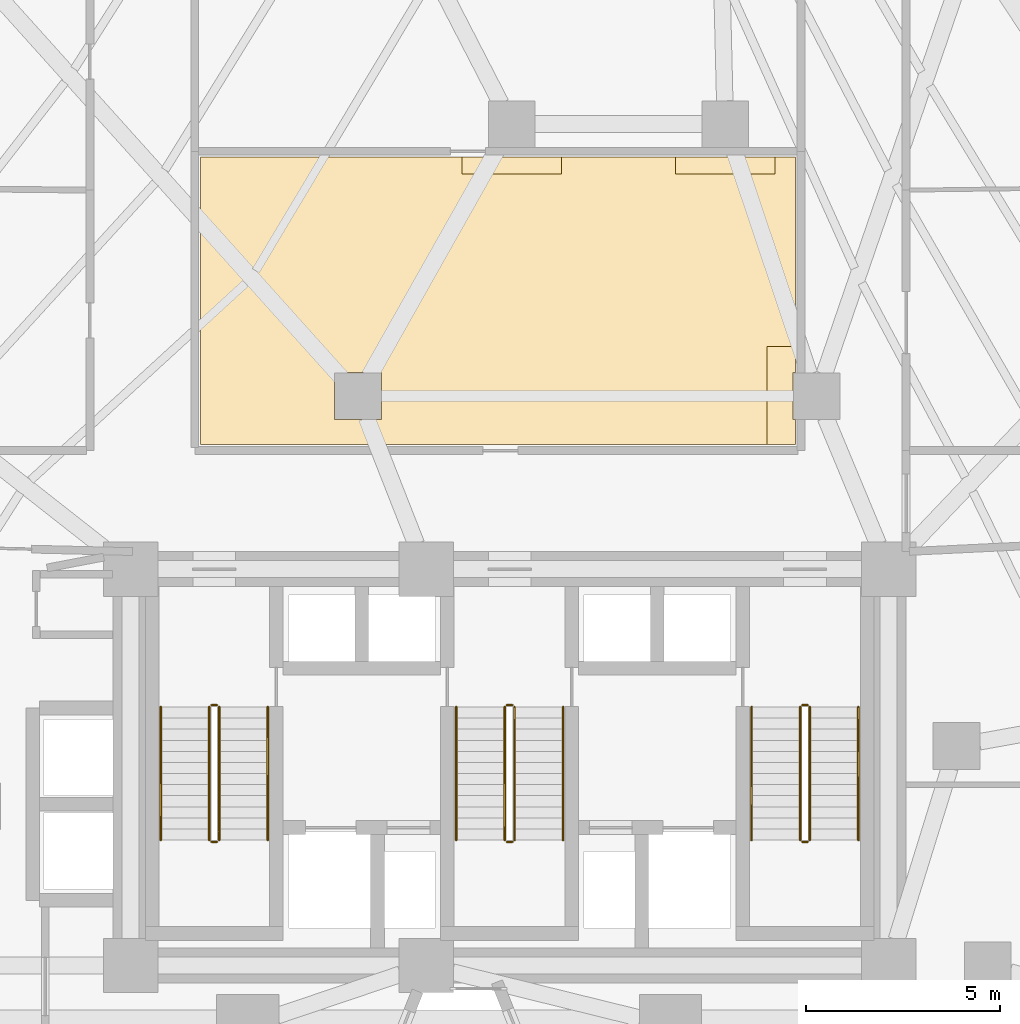
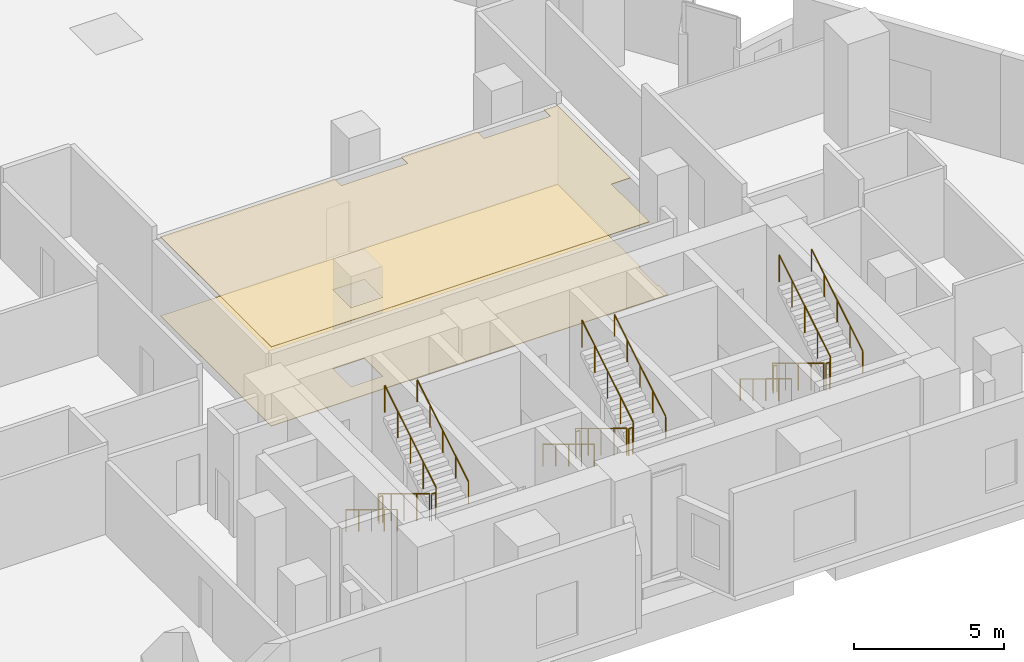
# One storey, part 11 of 12: 18 railings, 2 coverings.
"""IFC4 building model written with IfcOpenShell, lengths in metres."""

from ifc_helpers import new_model, si_unit, direction, frame, origin, origin_2d, place, context, subcontext, project, spatial, polyline, circle, outline, extrude, material, layer, layer_set, type_object, element, save


model = new_model("IFC4")

# Units and contexts
model_context = context("Model", 3, precision=1e-05, world=origin(), true_north=direction((0.0, 1.0)))
body_context = subcontext(model_context, "Body", "Model", "MODEL_VIEW")
ifc_project = project(units=[si_unit("LENGTHUNIT", "METRE"), si_unit("AREAUNIT", "SQUARE_METRE"), si_unit("VOLUMEUNIT", "CUBIC_METRE"), si_unit("PLANEANGLEUNIT", "RADIAN"), si_unit("MASSUNIT", "GRAM", prefix="KILO")], contexts=[model_context])

# Site, building, storey
site_placement = place(None, origin())
site = spatial("IfcSite", under=ifc_project, at=site_placement, CompositionType="ELEMENT")
building_placement = place(site_placement, origin())
building = spatial("IfcBuilding", under=site, at=building_placement, Name="Almagre Mirador Tower", CompositionType="ELEMENT")
storey_placement = place(building_placement, frame((0.0, 0.0, 12.89990234375)))
storey = spatial("IfcBuildingStorey", under=building, at=storey_placement, Name="L02", CompositionType="ELEMENT", Elevation=12.89990234375)

# Coverings
ifc_material_1 = material(Name="Slatted white oak acoustic ceiling", Category="wood")
ifc_layer_1 = layer(ifc_material_1, 0.02392578125)
ifc_layer_set_1 = layer_set([ifc_layer_1], Name="Slatted white oak acoustic ceiling")
covering_type_1 = type_object("IfcCoveringType", Name="COV-CEIL-WD-24", PredefinedType="CEILING", material=ifc_layer_set_1)
covering_1_placement = place(storey_placement, frame((0.0, 0.0, 3.22021484375)))
element("IfcCovering", 1, at=covering_1_placement, inside=storey, type_object=covering_type_1, Name="L02 Symposium Pre-Function Foyer acoustic suspended ceiling", PredefinedType="CEILING", context=body_context, shape_type="SweptSolid", body=[
    extrude(outline(polyline([(29.35009765625, 25.35009765625), (36.070068359375, 25.35009765625), (36.070068359375, 24.919921875), (38.6298828125, 24.919921875), (38.6298828125, 25.35009765625), (41.570068359375, 25.35009765625), (41.570068359375, 24.919921875), (44.1298828125, 24.919921875), (44.1298828125, 25.35009765625), (44.64990234375, 25.35009765625), (44.64990234375, 20.47998046875), (43.919921875, 20.47998046875), (43.919921875, 17.949951171875), (29.35009765625, 17.949951171875), (29.35009765625, 25.35009765625)]), holes=[polyline([(34.0048828125, 18.594970703125), (32.794921875, 18.594970703125), (32.794921875, 19.804931640625), (34.0048828125, 19.804931640625), (34.0048828125, 18.594970703125)])]), origin(), (0.0, 0.0, 1.0), 0.02392578125),
])
ifc_material_2 = material(Name="Honed basalt terrazzo flooring", Category="masonry")
ifc_layer_2 = layer(ifc_material_2, 0.02197265625)
ifc_layer_set_2 = layer_set([ifc_layer_2], Name="Honed basalt terrazzo flooring")
covering_type_2 = type_object("IfcCoveringType", Name="COV-FLR-TER-22", PredefinedType="FLOORING", material=ifc_layer_set_2)
covering_2_placement = place(storey_placement, origin())
element("IfcCovering", 2, at=covering_2_placement, inside=storey, type_object=covering_type_2, Name="L02 Symposium Pre-Function Foyer finish flooring", PredefinedType="FLOORING", context=body_context, shape_type="SweptSolid", body=[
    extrude(outline(polyline([(29.35009765625, 17.949951171875), (29.35009765625, 25.35009765625), (44.64990234375, 25.35009765625), (44.64990234375, 19.804931640625), (44.594970703125, 19.804931640625), (44.594970703125, 18.594970703125), (44.64990234375, 18.594970703125), (44.64990234375, 17.949951171875), (29.35009765625, 17.949951171875)]), holes=[polyline([(32.794921875, 18.594970703125), (32.794921875, 19.804931640625), (34.0048828125, 19.804931640625), (34.0048828125, 18.594970703125), (32.794921875, 18.594970703125)])]), origin(), (0.0, 0.0, 1.0), 0.022216796875),
])

# Railings
ifc_material_3 = material(Name="Painted galvanized steel", Category="steel")
railing_type_1 = type_object("IfcRailingType", Name="RLG-GRD-1100", PredefinedType="GUARDRAIL", material=ifc_material_3)
railing_1_placement = place(storey_placement, frame((29.574951171875, 11.199951171875, 0.173095703125)))
element("IfcRailing", 3, at=railing_1_placement, inside=storey, type_object=railing_type_1, Name="L02 ST-1 stair guard 1", PredefinedType="GUARDRAIL", context=body_context, shape_type="SweptSolid", body=[
    extrude(circle(Radius=0.02392578125, at=origin_2d()), frame((0.0, 0.0, 1.09619140625), z_axis=(0.0, -0.854729506542, 0.519073665916), x_axis=(1.0, 0.0, 0.0)), (0.0, 0.0, 1.0), 4.001220703125),
    extrude(circle(Radius=0.02099609375, at=origin_2d()), origin(), (0.0, 0.0, 1.0), 1.072021484375),
    extrude(circle(Radius=0.02099609375, at=origin_2d()), frame((0.0, -0.85498046875, 0.519287109375)), (0.0, 0.0, 1.0), 1.072021484375),
    extrude(circle(Radius=0.02099609375, at=origin_2d()), frame((0.0, -1.7099609375, 1.03857421875)), (0.0, 0.0, 1.0), 1.072021484375),
    extrude(circle(Radius=0.02099609375, at=origin_2d()), frame((0.0, -2.56494140625, 1.5576171875)), (0.0, 0.0, 1.0), 1.072021484375),
    extrude(circle(Radius=0.02099609375, at=origin_2d()), frame((0.0, -3.419921875, 2.076904296875)), (0.0, 0.0, 1.0), 1.072021484375),
])
railing_2_placement = place(storey_placement, frame((29.625, 7.72998046875, 2.25)))
element("IfcRailing", 4, at=railing_2_placement, inside=storey, type_object=railing_type_1, Name="L02 ST-1 stair guard 2", PredefinedType="GUARDRAIL", context=body_context, shape_type="SweptSolid", body=[
    extrude(circle(Radius=0.02392578125, at=origin_2d()), frame((0.0, 0.0, 1.09619140625), z_axis=(1.0, 0.0, 0.0), x_axis=(0.0, 1.0, 0.0)), (0.0, 0.0, 1.0), 0.14990234375),
    extrude(circle(Radius=0.02099609375, at=origin_2d()), origin(), (0.0, 0.0, 1.0), 1.072021484375),
    extrude(circle(Radius=0.02099609375, at=origin_2d()), frame((0.14990234375, 0.0, 0.0)), (0.0, 0.0, 1.0), 1.072021484375),
])
railing_3_placement = place(storey_placement, frame((29.824951171875, 7.780029296875, 2.423095703125)))
element("IfcRailing", 5, at=railing_3_placement, inside=storey, type_object=railing_type_1, Name="L02 ST-1 stair guard 3", PredefinedType="GUARDRAIL", context=body_context, shape_type="SweptSolid", body=[
    extrude(circle(Radius=0.02392578125, at=origin_2d()), frame((0.0, 0.0, 1.09619140625), z_axis=(0.0, 0.854729506542, 0.519073665916), x_axis=(-1.0, 0.0, 0.0)), (0.0, 0.0, 1.0), 4.001220703125),
    extrude(circle(Radius=0.02099609375, at=origin_2d()), origin(), (0.0, 0.0, 1.0), 1.072021484375),
    extrude(circle(Radius=0.02099609375, at=origin_2d()), frame((0.0, 0.85498046875, 0.519287109375)), (0.0, 0.0, 1.0), 1.072021484375),
    extrude(circle(Radius=0.02099609375, at=origin_2d()), frame((0.0, 1.7099609375, 1.03857421875)), (0.0, 0.0, 1.0), 1.072021484375),
    extrude(circle(Radius=0.02099609375, at=origin_2d()), frame((0.0, 2.56494140625, 1.5576171875)), (0.0, 0.0, 1.0), 1.072021484375),
    extrude(circle(Radius=0.02099609375, at=origin_2d()), frame((0.0, 3.419921875, 2.076904296875)), (0.0, 0.0, 1.0), 1.072021484375),
])
railing_4_placement = place(storey_placement, frame((29.625, 11.25, 0.0)))
element("IfcRailing", 6, at=railing_4_placement, inside=storey, type_object=railing_type_1, Name="L02 ST-1 stair guard 4", PredefinedType="GUARDRAIL", context=body_context, shape_type="SweptSolid", body=[
    extrude(circle(Radius=0.02392578125, at=origin_2d()), frame((0.0, 0.0, 1.09619140625), z_axis=(1.0, 0.0, 0.0), x_axis=(0.0, 1.0, 0.0)), (0.0, 0.0, 1.0), 0.14990234375),
    extrude(circle(Radius=0.02099609375, at=origin_2d()), origin(), (0.0, 0.0, 1.0), 1.072021484375),
    extrude(circle(Radius=0.02099609375, at=origin_2d()), frame((0.14990234375, 0.0, 0.0)), (0.0, 0.0, 1.0), 1.072021484375),
])
railing_5_placement = place(storey_placement, frame((37.175048828125, 11.199951171875, 0.173095703125)))
element("IfcRailing", 7, at=railing_5_placement, inside=storey, type_object=railing_type_1, Name="L02 ST-2 stair guard 1", PredefinedType="GUARDRAIL", context=body_context, shape_type="SweptSolid", body=[
    extrude(circle(Radius=0.02392578125, at=origin_2d()), frame((0.0, 0.0, 1.09619140625), z_axis=(0.0, -0.854729506542, 0.519073665916), x_axis=(1.0, 0.0, 0.0)), (0.0, 0.0, 1.0), 4.001220703125),
    extrude(circle(Radius=0.02099609375, at=origin_2d()), origin(), (0.0, 0.0, 1.0), 1.072021484375),
    extrude(circle(Radius=0.02099609375, at=origin_2d()), frame((0.0, -0.85498046875, 0.519287109375)), (0.0, 0.0, 1.0), 1.072021484375),
    extrude(circle(Radius=0.02099609375, at=origin_2d()), frame((0.0, -1.7099609375, 1.03857421875)), (0.0, 0.0, 1.0), 1.072021484375),
    extrude(circle(Radius=0.02099609375, at=origin_2d()), frame((0.0, -2.56494140625, 1.5576171875)), (0.0, 0.0, 1.0), 1.072021484375),
    extrude(circle(Radius=0.02099609375, at=origin_2d()), frame((0.0, -3.419921875, 2.076904296875)), (0.0, 0.0, 1.0), 1.072021484375),
])
railing_6_placement = place(storey_placement, frame((37.22509765625, 7.72998046875, 2.25)))
element("IfcRailing", 8, at=railing_6_placement, inside=storey, type_object=railing_type_1, Name="L02 ST-2 stair guard 2", PredefinedType="GUARDRAIL", context=body_context, shape_type="SweptSolid", body=[
    extrude(circle(Radius=0.02392578125, at=origin_2d()), frame((0.0, 0.0, 1.09619140625), z_axis=(1.0, 0.0, 0.0), x_axis=(0.0, 1.0, 0.0)), (0.0, 0.0, 1.0), 0.14990234375),
    extrude(circle(Radius=0.02099609375, at=origin_2d()), origin(), (0.0, 0.0, 1.0), 1.072021484375),
    extrude(circle(Radius=0.02099609375, at=origin_2d()), frame((0.14990234375, 0.0, 0.0)), (0.0, 0.0, 1.0), 1.072021484375),
])
railing_7_placement = place(storey_placement, frame((37.425048828125, 7.780029296875, 2.423095703125)))
element("IfcRailing", 9, at=railing_7_placement, inside=storey, type_object=railing_type_1, Name="L02 ST-2 stair guard 3", PredefinedType="GUARDRAIL", context=body_context, shape_type="SweptSolid", body=[
    extrude(circle(Radius=0.02392578125, at=origin_2d()), frame((0.0, 0.0, 1.09619140625), z_axis=(0.0, 0.854729506542, 0.519073665916), x_axis=(-1.0, 0.0, 0.0)), (0.0, 0.0, 1.0), 4.001220703125),
    extrude(circle(Radius=0.02099609375, at=origin_2d()), origin(), (0.0, 0.0, 1.0), 1.072021484375),
    extrude(circle(Radius=0.02099609375, at=origin_2d()), frame((0.0, 0.85498046875, 0.519287109375)), (0.0, 0.0, 1.0), 1.072021484375),
    extrude(circle(Radius=0.02099609375, at=origin_2d()), frame((0.0, 1.7099609375, 1.03857421875)), (0.0, 0.0, 1.0), 1.072021484375),
    extrude(circle(Radius=0.02099609375, at=origin_2d()), frame((0.0, 2.56494140625, 1.5576171875)), (0.0, 0.0, 1.0), 1.072021484375),
    extrude(circle(Radius=0.02099609375, at=origin_2d()), frame((0.0, 3.419921875, 2.076904296875)), (0.0, 0.0, 1.0), 1.072021484375),
])
railing_8_placement = place(storey_placement, frame((37.22509765625, 11.25, 0.0)))
element("IfcRailing", 10, at=railing_8_placement, inside=storey, type_object=railing_type_1, Name="L02 ST-2 stair guard 4", PredefinedType="GUARDRAIL", context=body_context, shape_type="SweptSolid", body=[
    extrude(circle(Radius=0.02392578125, at=origin_2d()), frame((0.0, 0.0, 1.09619140625), z_axis=(1.0, 0.0, 0.0), x_axis=(0.0, 1.0, 0.0)), (0.0, 0.0, 1.0), 0.14990234375),
    extrude(circle(Radius=0.02099609375, at=origin_2d()), origin(), (0.0, 0.0, 1.0), 1.072021484375),
    extrude(circle(Radius=0.02099609375, at=origin_2d()), frame((0.14990234375, 0.0, 0.0)), (0.0, 0.0, 1.0), 1.072021484375),
])
railing_9_placement = place(storey_placement, frame((44.77490234375, 11.199951171875, 0.173095703125)))
element("IfcRailing", 11, at=railing_9_placement, inside=storey, type_object=railing_type_1, Name="L02 ST-3 stair guard 1", PredefinedType="GUARDRAIL", context=body_context, shape_type="SweptSolid", body=[
    extrude(circle(Radius=0.02392578125, at=origin_2d()), frame((0.0, 0.0, 1.09619140625), z_axis=(0.0, -0.854729506542, 0.519073665916), x_axis=(1.0, 0.0, 0.0)), (0.0, 0.0, 1.0), 4.001220703125),
    extrude(circle(Radius=0.02099609375, at=origin_2d()), origin(), (0.0, 0.0, 1.0), 1.072021484375),
    extrude(circle(Radius=0.02099609375, at=origin_2d()), frame((0.0, -0.85498046875, 0.519287109375)), (0.0, 0.0, 1.0), 1.072021484375),
    extrude(circle(Radius=0.02099609375, at=origin_2d()), frame((0.0, -1.7099609375, 1.03857421875)), (0.0, 0.0, 1.0), 1.072021484375),
    extrude(circle(Radius=0.02099609375, at=origin_2d()), frame((0.0, -2.56494140625, 1.5576171875)), (0.0, 0.0, 1.0), 1.072021484375),
    extrude(circle(Radius=0.02099609375, at=origin_2d()), frame((0.0, -3.419921875, 2.076904296875)), (0.0, 0.0, 1.0), 1.072021484375),
])
railing_10_placement = place(storey_placement, frame((44.824951171875, 7.72998046875, 2.25)))
element("IfcRailing", 12, at=railing_10_placement, inside=storey, type_object=railing_type_1, Name="L02 ST-3 stair guard 2", PredefinedType="GUARDRAIL", context=body_context, shape_type="SweptSolid", body=[
    extrude(circle(Radius=0.02392578125, at=origin_2d()), frame((0.0, 0.0, 1.09619140625), z_axis=(1.0, 0.0, 0.0), x_axis=(0.0, 1.0, 0.0)), (0.0, 0.0, 1.0), 0.150146484375),
    extrude(circle(Radius=0.02099609375, at=origin_2d()), origin(), (0.0, 0.0, 1.0), 1.072021484375),
    extrude(circle(Radius=0.02099609375, at=origin_2d()), frame((0.150146484375, 0.0, 0.0)), (0.0, 0.0, 1.0), 1.072021484375),
])
railing_11_placement = place(storey_placement, frame((45.02490234375, 7.780029296875, 2.423095703125)))
element("IfcRailing", 13, at=railing_11_placement, inside=storey, type_object=railing_type_1, Name="L02 ST-3 stair guard 3", PredefinedType="GUARDRAIL", context=body_context, shape_type="SweptSolid", body=[
    extrude(circle(Radius=0.02392578125, at=origin_2d()), frame((0.0, 0.0, 1.09619140625), z_axis=(0.0, 0.854729506542, 0.519073665916), x_axis=(-1.0, 0.0, 0.0)), (0.0, 0.0, 1.0), 4.001220703125),
    extrude(circle(Radius=0.02099609375, at=origin_2d()), origin(), (0.0, 0.0, 1.0), 1.072021484375),
    extrude(circle(Radius=0.02099609375, at=origin_2d()), frame((0.0, 0.85498046875, 0.519287109375)), (0.0, 0.0, 1.0), 1.072021484375),
    extrude(circle(Radius=0.02099609375, at=origin_2d()), frame((0.0, 1.7099609375, 1.03857421875)), (0.0, 0.0, 1.0), 1.072021484375),
    extrude(circle(Radius=0.02099609375, at=origin_2d()), frame((0.0, 2.56494140625, 1.5576171875)), (0.0, 0.0, 1.0), 1.072021484375),
    extrude(circle(Radius=0.02099609375, at=origin_2d()), frame((0.0, 3.419921875, 2.076904296875)), (0.0, 0.0, 1.0), 1.072021484375),
])
railing_12_placement = place(storey_placement, frame((44.824951171875, 11.25, 0.0)))
element("IfcRailing", 14, at=railing_12_placement, inside=storey, type_object=railing_type_1, Name="L02 ST-3 stair guard 4", PredefinedType="GUARDRAIL", context=body_context, shape_type="SweptSolid", body=[
    extrude(circle(Radius=0.02392578125, at=origin_2d()), frame((0.0, 0.0, 1.09619140625), z_axis=(1.0, 0.0, 0.0), x_axis=(0.0, 1.0, 0.0)), (0.0, 0.0, 1.0), 0.150146484375),
    extrude(circle(Radius=0.02099609375, at=origin_2d()), origin(), (0.0, 0.0, 1.0), 1.072021484375),
    extrude(circle(Radius=0.02099609375, at=origin_2d()), frame((0.150146484375, 0.0, 0.0)), (0.0, 0.0, 1.0), 1.072021484375),
])
ifc_material_4 = material(Name="Brushed stainless steel", Category="steel")
railing_type_2 = type_object("IfcRailingType", Name="RLG-HND-915", PredefinedType="HANDRAIL", material=ifc_material_4)
railing_13_placement = place(storey_placement, frame((28.324951171875, 11.199951171875, 0.173095703125)))
element("IfcRailing", 15, at=railing_13_placement, inside=storey, type_object=railing_type_2, Name="L02 ST-1 stair handrail 1", PredefinedType="HANDRAIL", context=body_context, shape_type="SweptSolid", body=[
    extrude(circle(Radius=0.02392578125, at=origin_2d()), frame((0.0, 0.0, 0.89111328125), z_axis=(0.0, -0.854729506542, 0.519073665916), x_axis=(1.0, 0.0, 0.0)), (0.0, 0.0, 1.0), 4.001220703125),
    extrude(circle(Radius=0.02099609375, at=origin_2d()), origin(), (0.0, 0.0, 1.0), 0.866943359375),
    extrude(circle(Radius=0.02099609375, at=origin_2d()), frame((0.0, -0.85498046875, 0.519287109375)), (0.0, 0.0, 1.0), 0.866943359375),
    extrude(circle(Radius=0.02099609375, at=origin_2d()), frame((0.0, -1.7099609375, 1.03857421875)), (0.0, 0.0, 1.0), 0.866943359375),
    extrude(circle(Radius=0.02099609375, at=origin_2d()), frame((0.0, -2.56494140625, 1.5576171875)), (0.0, 0.0, 1.0), 0.866943359375),
    extrude(circle(Radius=0.02099609375, at=origin_2d()), frame((0.0, -3.419921875, 2.076904296875)), (0.0, 0.0, 1.0), 0.866943359375),
])
railing_14_placement = place(storey_placement, frame((31.074951171875, 7.780029296875, 2.423095703125)))
element("IfcRailing", 16, at=railing_14_placement, inside=storey, type_object=railing_type_2, Name="L02 ST-1 stair handrail 2", PredefinedType="HANDRAIL", context=body_context, shape_type="SweptSolid", body=[
    extrude(circle(Radius=0.02392578125, at=origin_2d()), frame((0.0, 0.0, 0.89111328125), z_axis=(0.0, 0.854729506542, 0.519073665916), x_axis=(-1.0, 0.0, 0.0)), (0.0, 0.0, 1.0), 4.001220703125),
    extrude(circle(Radius=0.02099609375, at=origin_2d()), origin(), (0.0, 0.0, 1.0), 0.866943359375),
    extrude(circle(Radius=0.02099609375, at=origin_2d()), frame((0.0, 0.85498046875, 0.519287109375)), (0.0, 0.0, 1.0), 0.866943359375),
    extrude(circle(Radius=0.02099609375, at=origin_2d()), frame((0.0, 1.7099609375, 1.03857421875)), (0.0, 0.0, 1.0), 0.866943359375),
    extrude(circle(Radius=0.02099609375, at=origin_2d()), frame((0.0, 2.56494140625, 1.5576171875)), (0.0, 0.0, 1.0), 0.866943359375),
    extrude(circle(Radius=0.02099609375, at=origin_2d()), frame((0.0, 3.419921875, 2.076904296875)), (0.0, 0.0, 1.0), 0.866943359375),
])
railing_15_placement = place(storey_placement, frame((35.925048828125, 11.199951171875, 0.173095703125)))
element("IfcRailing", 17, at=railing_15_placement, inside=storey, type_object=railing_type_2, Name="L02 ST-2 stair handrail 1", PredefinedType="HANDRAIL", context=body_context, shape_type="SweptSolid", body=[
    extrude(circle(Radius=0.02392578125, at=origin_2d()), frame((0.0, 0.0, 0.89111328125), z_axis=(0.0, -0.854729506542, 0.519073665916), x_axis=(1.0, 0.0, 0.0)), (0.0, 0.0, 1.0), 4.001220703125),
    extrude(circle(Radius=0.02099609375, at=origin_2d()), origin(), (0.0, 0.0, 1.0), 0.866943359375),
    extrude(circle(Radius=0.02099609375, at=origin_2d()), frame((0.0, -0.85498046875, 0.519287109375)), (0.0, 0.0, 1.0), 0.866943359375),
    extrude(circle(Radius=0.02099609375, at=origin_2d()), frame((0.0, -1.7099609375, 1.03857421875)), (0.0, 0.0, 1.0), 0.866943359375),
    extrude(circle(Radius=0.02099609375, at=origin_2d()), frame((0.0, -2.56494140625, 1.5576171875)), (0.0, 0.0, 1.0), 0.866943359375),
    extrude(circle(Radius=0.02099609375, at=origin_2d()), frame((0.0, -3.419921875, 2.076904296875)), (0.0, 0.0, 1.0), 0.866943359375),
])
railing_16_placement = place(storey_placement, frame((38.675048828125, 7.780029296875, 2.423095703125)))
element("IfcRailing", 18, at=railing_16_placement, inside=storey, type_object=railing_type_2, Name="L02 ST-2 stair handrail 2", PredefinedType="HANDRAIL", context=body_context, shape_type="SweptSolid", body=[
    extrude(circle(Radius=0.02392578125, at=origin_2d()), frame((0.0, 0.0, 0.89111328125), z_axis=(0.0, 0.854729506542, 0.519073665916), x_axis=(-1.0, 0.0, 0.0)), (0.0, 0.0, 1.0), 4.001220703125),
    extrude(circle(Radius=0.02099609375, at=origin_2d()), origin(), (0.0, 0.0, 1.0), 0.866943359375),
    extrude(circle(Radius=0.02099609375, at=origin_2d()), frame((0.0, 0.85498046875, 0.519287109375)), (0.0, 0.0, 1.0), 0.866943359375),
    extrude(circle(Radius=0.02099609375, at=origin_2d()), frame((0.0, 1.7099609375, 1.03857421875)), (0.0, 0.0, 1.0), 0.866943359375),
    extrude(circle(Radius=0.02099609375, at=origin_2d()), frame((0.0, 2.56494140625, 1.5576171875)), (0.0, 0.0, 1.0), 0.866943359375),
    extrude(circle(Radius=0.02099609375, at=origin_2d()), frame((0.0, 3.419921875, 2.076904296875)), (0.0, 0.0, 1.0), 0.866943359375),
])
railing_17_placement = place(storey_placement, frame((43.52490234375, 11.199951171875, 0.173095703125)))
element("IfcRailing", 19, at=railing_17_placement, inside=storey, type_object=railing_type_2, Name="L02 ST-3 stair handrail 1", PredefinedType="HANDRAIL", context=body_context, shape_type="SweptSolid", body=[
    extrude(circle(Radius=0.02392578125, at=origin_2d()), frame((0.0, 0.0, 0.89111328125), z_axis=(0.0, -0.854729506542, 0.519073665916), x_axis=(1.0, 0.0, 0.0)), (0.0, 0.0, 1.0), 4.001220703125),
    extrude(circle(Radius=0.02099609375, at=origin_2d()), origin(), (0.0, 0.0, 1.0), 0.866943359375),
    extrude(circle(Radius=0.02099609375, at=origin_2d()), frame((0.0, -0.85498046875, 0.519287109375)), (0.0, 0.0, 1.0), 0.866943359375),
    extrude(circle(Radius=0.02099609375, at=origin_2d()), frame((0.0, -1.7099609375, 1.03857421875)), (0.0, 0.0, 1.0), 0.866943359375),
    extrude(circle(Radius=0.02099609375, at=origin_2d()), frame((0.0, -2.56494140625, 1.5576171875)), (0.0, 0.0, 1.0), 0.866943359375),
    extrude(circle(Radius=0.02099609375, at=origin_2d()), frame((0.0, -3.419921875, 2.076904296875)), (0.0, 0.0, 1.0), 0.866943359375),
])
railing_18_placement = place(storey_placement, frame((46.27490234375, 7.780029296875, 2.423095703125)))
element("IfcRailing", 20, at=railing_18_placement, inside=storey, type_object=railing_type_2, Name="L02 ST-3 stair handrail 2", PredefinedType="HANDRAIL", context=body_context, shape_type="SweptSolid", body=[
    extrude(circle(Radius=0.02392578125, at=origin_2d()), frame((0.0, 0.0, 0.89111328125), z_axis=(0.0, 0.854729506542, 0.519073665916), x_axis=(-1.0, 0.0, 0.0)), (0.0, 0.0, 1.0), 4.001220703125),
    extrude(circle(Radius=0.02099609375, at=origin_2d()), origin(), (0.0, 0.0, 1.0), 0.866943359375),
    extrude(circle(Radius=0.02099609375, at=origin_2d()), frame((0.0, 0.85498046875, 0.519287109375)), (0.0, 0.0, 1.0), 0.866943359375),
    extrude(circle(Radius=0.02099609375, at=origin_2d()), frame((0.0, 1.7099609375, 1.03857421875)), (0.0, 0.0, 1.0), 0.866943359375),
    extrude(circle(Radius=0.02099609375, at=origin_2d()), frame((0.0, 2.56494140625, 1.5576171875)), (0.0, 0.0, 1.0), 0.866943359375),
    extrude(circle(Radius=0.02099609375, at=origin_2d()), frame((0.0, 3.419921875, 2.076904296875)), (0.0, 0.0, 1.0), 0.866943359375),
])

save(model, "model.ifc")
